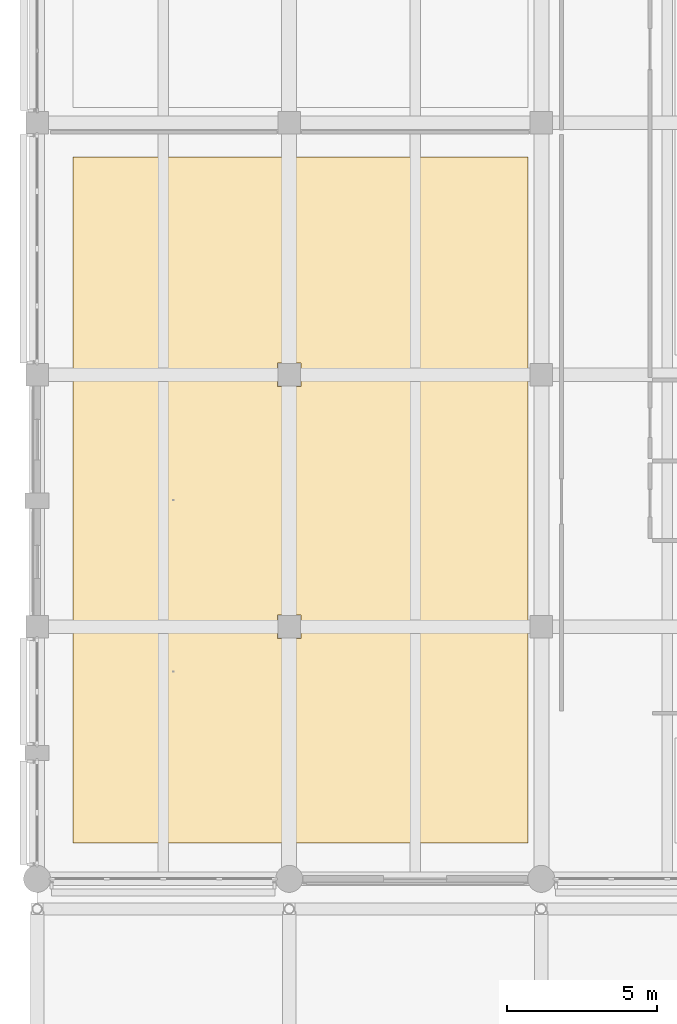
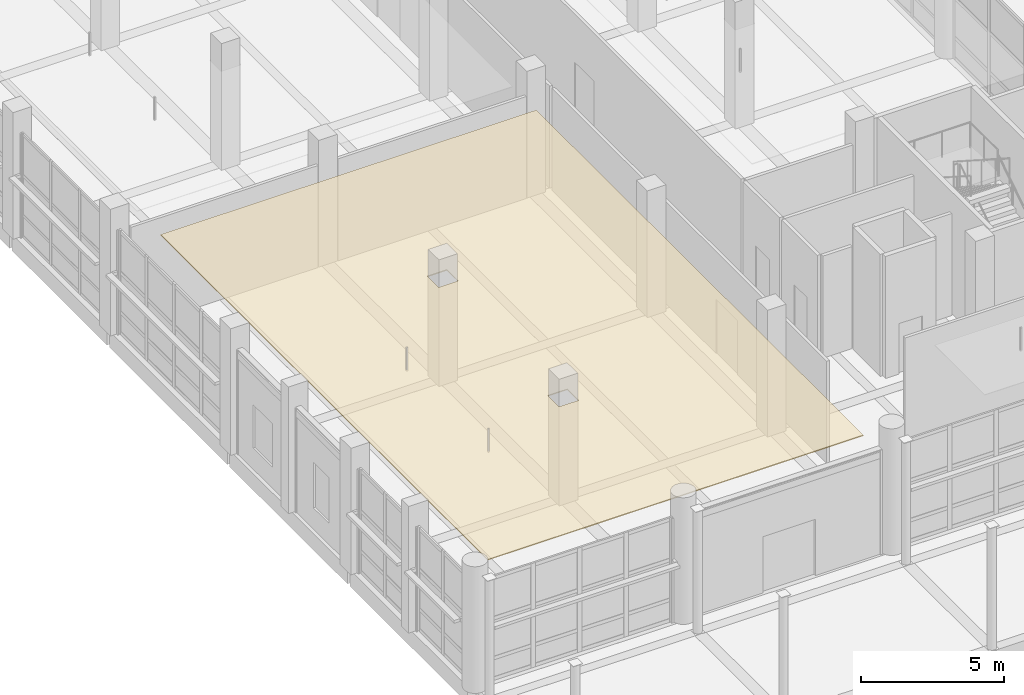
# One storey, part 95 of 140: 1 covering.
"""IFC4 building model written with IfcOpenShell, lengths in metres."""

from ifc_helpers import new_model, si_unit, direction, frame, origin, place, context, subcontext, project, spatial, polyline, outline, extrude, material, layer, layer_set, type_object, element, save


model = new_model("IFC4")

# Units and contexts
model_context = context("Model", 3, precision=1e-05, world=origin(), true_north=direction((0.0, 1.0)))
body_context = subcontext(model_context, "Body", "Model", "MODEL_VIEW")
ifc_project = project(units=[si_unit("LENGTHUNIT", "METRE"), si_unit("AREAUNIT", "SQUARE_METRE"), si_unit("VOLUMEUNIT", "CUBIC_METRE"), si_unit("PLANEANGLEUNIT", "RADIAN"), si_unit("MASSUNIT", "GRAM", prefix="KILO")], contexts=[model_context])

# Site, building, storey
site_placement = place(None, origin())
site = spatial("IfcSite", under=ifc_project, at=site_placement, CompositionType="ELEMENT")
building_placement = place(site_placement, origin())
building = spatial("IfcBuilding", under=site, at=building_placement, Name="Telukmera Botanical Conservatory", CompositionType="ELEMENT")
storey_placement = place(building_placement, origin())
storey = spatial("IfcBuildingStorey", under=building, at=storey_placement, Name="L00", CompositionType="ELEMENT", Elevation=0.0)

# Covering
ifc_material = material(Name="Perforated gypsum acoustic ceiling")
ifc_layer = layer(ifc_material, 0.0400390625)
ifc_layer_set = layer_set([ifc_layer], Name="Perforated gypsum acoustic ceiling")
covering_type = type_object("IfcCoveringType", Name="COV-CEIL-40", PredefinedType="CEILING", material=ifc_layer_set)
covering_placement = place(storey_placement, frame((0.0, 0.0, 4.2099609375)))
element("IfcCovering", 1, at=covering_placement, inside=storey, type_object=covering_type, Name="L00 Visitor Centre Entrance Hall Suspended Acoustic Ceiling", PredefinedType="CEILING", context=body_context, shape_type="SweptSolid", body=[
    extrude(outline(polyline([(9.60009765625, 18.800048828125), (24.7548828125, 18.800048828125), (24.7548828125, 41.64990234375), (9.60009765625, 41.64990234375), (9.60009765625, 18.800048828125)]), holes=[polyline([(16.405029296875, 25.60498046875), (17.195068359375, 25.60498046875), (17.195068359375, 26.39501953125), (16.405029296875, 26.39501953125), (16.405029296875, 25.60498046875)]), polyline([(16.405029296875, 34.0048828125), (17.195068359375, 34.0048828125), (17.195068359375, 34.794921875), (16.405029296875, 34.794921875), (16.405029296875, 34.0048828125)])]), origin(), (0.0, 0.0, 1.0), 0.0400390625),
])

save(model, "model.ifc")
